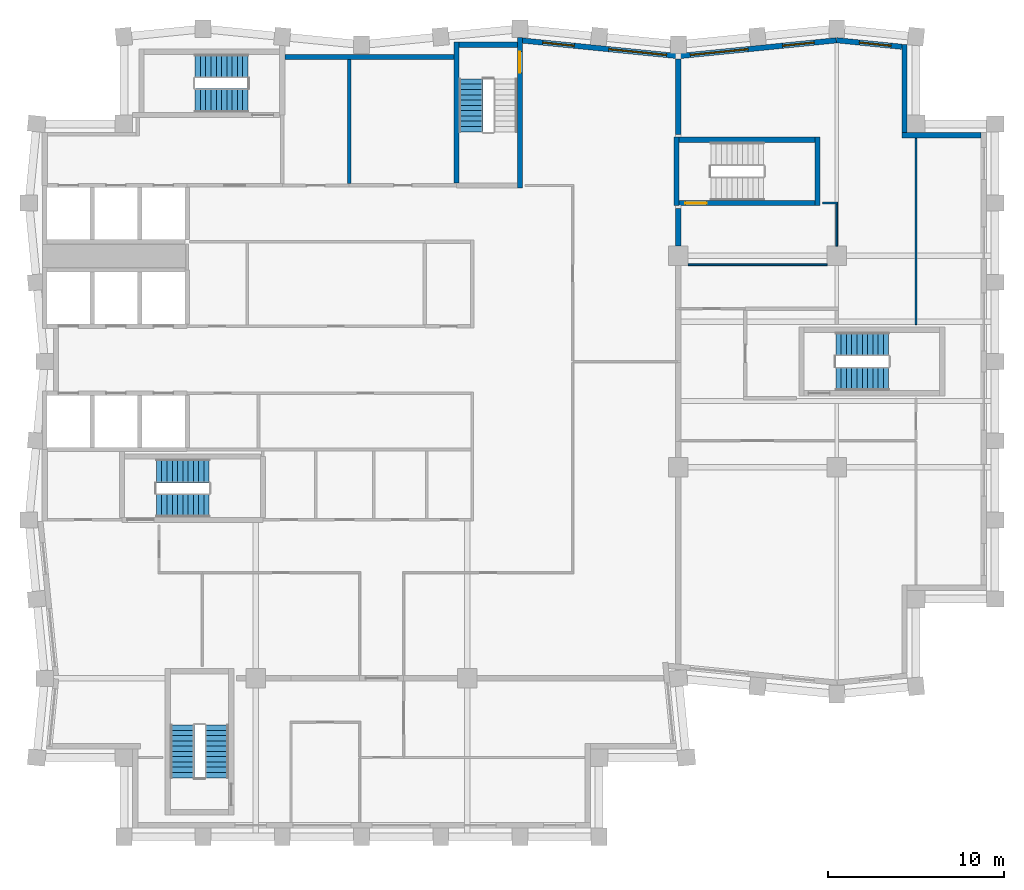
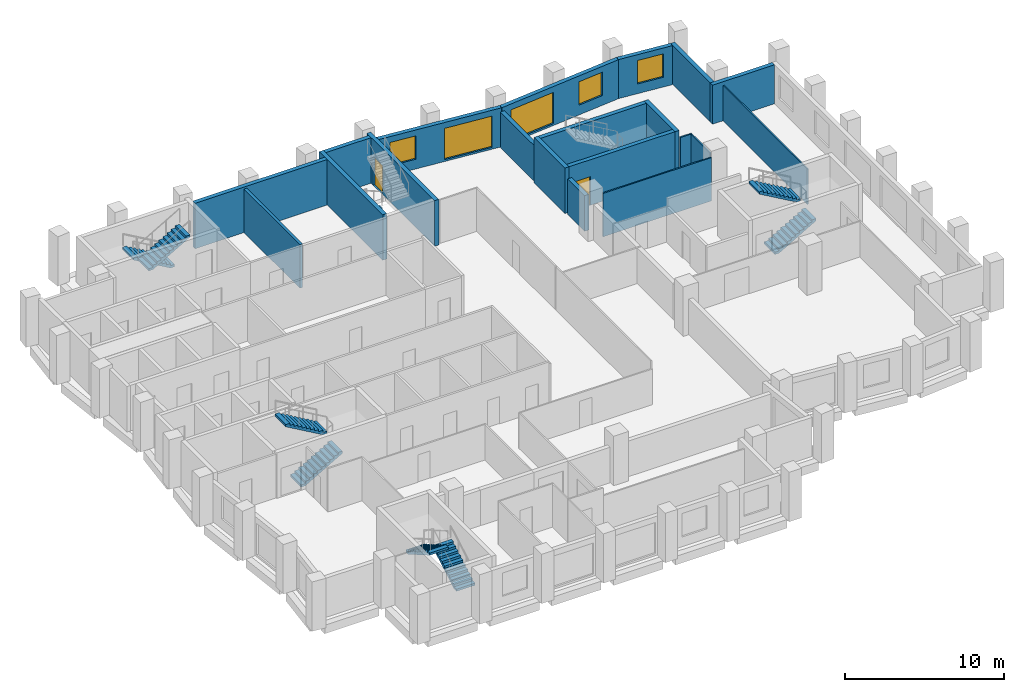
# One storey, part 6 of 8: 20 walls, 9 stair flights, 5 windows, 2 doors, 7 openings, 5 elements without a shape of their own.
"""IFC4 building model written with IfcOpenShell, lengths in metres."""

from ifc_helpers import new_model, si_unit, direction, frame, frame_2d, origin, place, context, subcontext, project, spatial, polyline, rectangle, outline, extrude, material, layer, layer_set, type_object, element, fill, aggregate, save


model = new_model("IFC4")

# Units and contexts
model_context = context("Model", 3, precision=1e-05, world=origin(), true_north=direction((0.0, 1.0)))
body_context = subcontext(model_context, "Body", "Model", "MODEL_VIEW")
ifc_project = project(units=[si_unit("LENGTHUNIT", "METRE"), si_unit("AREAUNIT", "SQUARE_METRE"), si_unit("VOLUMEUNIT", "CUBIC_METRE"), si_unit("PLANEANGLEUNIT", "RADIAN"), si_unit("MASSUNIT", "GRAM", prefix="KILO")], contexts=[model_context])

# Site, building, storey
site_placement = place(None, origin())
site = spatial("IfcSite", under=ifc_project, at=site_placement, CompositionType="ELEMENT")
building_placement = place(site_placement, origin())
building = spatial("IfcBuilding", under=site, at=building_placement, Name="Brondeck Convention Tower", CompositionType="ELEMENT")
storey_placement = place(building_placement, frame((0.0, 0.0, 244.39990234375)))
storey = spatial("IfcBuildingStorey", under=building, at=storey_placement, Name="L60", CompositionType="ELEMENT", Elevation=244.39990234375)

# Walls
ifc_material_1 = material(Name="Concrete compartment wall C30/37", Category="concrete")
ifc_layer_1 = layer(ifc_material_1, 0.300048828125)
ifc_layer_set_1 = layer_set([ifc_layer_1], Name="Compartment wall 300")
wall_type_1 = type_object("IfcWallType", Name="Compartment wall 300", PredefinedType="PARTITIONING", material=ifc_layer_set_1)
wall_1_placement = place(storey_placement, frame((36.0, 51.554931640625, 0.0), z_axis=(0.0, 0.0, 1.0), x_axis=(0.0, 1.0, 0.0)))
element("IfcWall", 1, at=wall_1_placement, inside=storey, type_object=wall_type_1, Name="FLR-L60-W045", PredefinedType="PARTITIONING", context=body_context, shape_type="SweptSolid", body=[
    extrude(rectangle(XDim=2.14501953125, YDim=0.300048828125, at=frame_2d((1.072509765625, 0.0))), origin(), (0.0, 0.0, 1.0), 2.72998046875),
])
wall_2_placement = place(storey_placement, frame((36.0, 57.89990234375, 0.0), z_axis=(0.0, 0.0, 1.0), x_axis=(0.0, 1.0, 0.0)))
element("IfcWall", 2, at=wall_2_placement, inside=storey, type_object=wall_type_1, Name="FLR-L60-W050", PredefinedType="PARTITIONING", context=body_context, shape_type="SweptSolid", body=[
    extrude(rectangle(XDim=4.2763671875, YDim=0.300048828125, at=frame_2d((2.13818359375, 0.0))), origin(), (0.0, 0.0, 1.0), 2.72998046875),
])
ifc_material_2 = material(Name="Concrete C50/60", Category="concrete")
ifc_layer_2 = layer(ifc_material_2, 0.300048828125)
ifc_layer_set_2 = layer_set([ifc_layer_2], Name="Core outer wall 300 Concrete C50/60")
wall_type_2 = type_object("IfcWallType", Name="Core outer wall 300 Concrete C50/60", PredefinedType="SHEAR", material=ifc_layer_set_2)
wall_3_placement = place(storey_placement, frame((13.64990234375, 62.300048828125, 0.0), z_axis=(0.0, 0.0, 1.0), x_axis=(1.0, 0.0, 0.0)))
element("IfcWall", 3, at=wall_3_placement, inside=storey, type_object=wall_type_2, Name="L60 core wall", PredefinedType="SHEAR", context=body_context, shape_type="SweptSolid", body=[
    extrude(rectangle(XDim=9.60009765625, YDim=0.300048828125, at=frame_2d((4.800048828125, 0.0))), origin(), (0.0, 0.0, 1.0), 3.5),
])
ifc_material_3 = material(Name="Precast concrete C50/60 bronze finish", Category="concrete")
ifc_layer_3 = layer(ifc_material_3, 0.070068359375, Name="Bronze precast facing")
ifc_material_4 = material(Name="Mineral wool")
ifc_layer_4 = layer(ifc_material_4, 0.159912109375, Name="Insulation")
ifc_material_5 = material(Name="Concrete C35/45", Category="concrete")
ifc_layer_5 = layer(ifc_material_5, 0.070068359375, Name="Backing")
ifc_layer_set_3 = layer_set([ifc_layer_3, ifc_layer_4, ifc_layer_5], Name="External infill wall, precast concrete C50/60 bronze facing")
wall_type_3 = type_object("IfcWallType", Name="External infill wall, precast concrete C50/60 bronze facing", PredefinedType="SOLIDWALL", material=ifc_layer_set_3)
wall_4_placement = place(storey_placement, frame((48.699951171875, 57.85009765625, 0.0), z_axis=(0.0, 0.0, 1.0), x_axis=(1.0, 0.0, 0.0)))
element("IfcWall", 4, at=wall_4_placement, inside=storey, type_object=wall_type_3, Name="ENV-EW-L60-P2-NC-NEA54-01", PredefinedType="SOLIDWALL", context=body_context, shape_type="SweptSolid", body=[
    extrude(rectangle(XDim=4.501953125, YDim=0.300048828125, at=frame_2d((2.2509765625, 0.0))), origin(), (0.0, 0.0, 1.0), 3.0),
])
wall_5_placement = place(storey_placement, frame((48.85009765625, 62.99755859375, 0.0), z_axis=(0.0, 0.0, 1.0), x_axis=(0.0, -1.0, 0.0)))
element("IfcWall", 5, at=wall_5_placement, inside=storey, type_object=wall_type_3, Name="ENV-EW-L60-P2-NC-NEA54-02", PredefinedType="SOLIDWALL", context=body_context, shape_type="SweptSolid", body=[
    extrude(rectangle(XDim=4.99951171875, YDim=0.300048828125, at=frame_2d((2.499755859375, 0.0))), origin(), (0.0, 0.0, 1.0), 3.0),
])

# Wall, opening, window
wall_6_placement = place(storey_placement, frame((44.985107421875, 63.248291015625, 0.0), z_axis=(0.0, 0.0, 1.0), x_axis=(0.995037837869, -0.099497242219, 0.0)))
wall_6 = element("IfcWall", 6, at=wall_6_placement, inside=storey, type_object=wall_type_3, Name="ENV-EW-L60-P2-A-N-10", PredefinedType="SOLIDWALL", context=body_context, shape_type="SweptSolid", body=[
    extrude(rectangle(XDim=3.732177734375, YDim=0.300048828125, at=frame_2d((1.8662109375, 0.0))), origin(), (0.0, 0.0, 1.0), 3.0),
])
opening_1_placement = place(wall_6_placement, frame((1.311279296875, 0.0, 0.75)))
opening_1 = element("IfcOpeningElement", 7, at=opening_1_placement, cuts=wall_6, Name="Opening W10", PredefinedType="OPENING", context=body_context, shape_type="SweptSolid", body=[
    extrude(rectangle(XDim=1.800048828125, YDim=1.800048828125, at=frame_2d((0.89990234375, 0.89990234375))), frame((0.0, 0.159912109375, 0.0), z_axis=(0.0, -1.0, 0.0), x_axis=(1.0, 0.0, 0.0)), (0.0, 0.0, 1.0), 0.320068359375),
])
ifc_material_6 = material(Name="Bronze tinted double glazing", Category="glass")
window_type_1 = type_object("IfcWindowType", Name="Punched window, bronze tinted", PartitioningType="SINGLE_PANEL", PredefinedType="WINDOW", material=ifc_material_6)
window_1_placement = place(opening_1_placement, origin())
window_1 = element("IfcWindow", 8, at=window_1_placement, inside=storey, type_object=window_type_1, Name="ENV-WN-L60-P2-A-N-10", OverallHeight=1.800048828125, OverallWidth=1.800048828125, PartitioningType="SINGLE_PANEL", PredefinedType="WINDOW", context=body_context, shape_type="SweptSolid", body=[
    extrude(rectangle(XDim=1.800048828125, YDim=1.800048828125, at=frame_2d((0.89990234375, 0.89990234375))), frame((0.0, 0.030029296875, 0.0), z_axis=(0.0, -1.0, 0.0), x_axis=(1.0, 0.0, 0.0)), (0.0, 0.0, 1.0), 0.06005859375),
])
fill(opening_1, window_1)

# Wall, openings, windows
wall_7_placement = place(storey_placement, frame((35.985107421875, 62.34521484375, 0.0), z_axis=(0.0, 0.0, 1.0), x_axis=(0.995035316196, 0.099522457379, 0.0)))
wall_7 = element("IfcWall", 9, at=wall_7_placement, inside=storey, type_object=wall_type_3, Name="ENV-EW-L60-P2-A-N-09", PredefinedType="SOLIDWALL", context=body_context, shape_type="SweptSolid", body=[
    extrude(rectangle(XDim=9.030029296875, YDim=0.300048828125, at=frame_2d((4.51513671875, 0.0))), origin(), (0.0, 0.0, 1.0), 3.0),
])
opening_2_placement = place(wall_7_placement, frame((0.691162109375, 0.0, 0.14990234375)))
opening_2 = element("IfcOpeningElement", 10, at=opening_2_placement, cuts=wall_7, Name="Opening W9", PredefinedType="OPENING", context=body_context, shape_type="SweptSolid", body=[
    extrude(rectangle(XDim=3.300048828125, YDim=2.39990234375, at=frame_2d((1.64990234375, 1.199951171875))), frame((0.0, 0.159912109375, 0.0), z_axis=(0.0, -1.0, 0.0), x_axis=(1.0, 0.0, 0.0)), (0.0, 0.0, 1.0), 0.320068359375),
])
opening_3_placement = place(wall_7_placement, frame((5.963623046875, 0.0, 0.75)))
opening_3 = element("IfcOpeningElement", 11, at=opening_3_placement, cuts=wall_7, Name="Opening W10", PredefinedType="OPENING", context=body_context, shape_type="SweptSolid", body=[
    extrude(rectangle(XDim=1.800048828125, YDim=1.800048828125, at=frame_2d((0.89990234375, 0.89990234375))), frame((0.0, 0.159912109375, 0.0), z_axis=(0.0, -1.0, 0.0), x_axis=(1.0, 0.0, 0.0)), (0.0, 0.0, 1.0), 0.320068359375),
])
window_type_2 = type_object("IfcWindowType", Name="Glazed flute window, bronze tinted", PartitioningType="SINGLE_PANEL", PredefinedType="WINDOW", material=ifc_material_6)
window_2_placement = place(opening_2_placement, origin())
window_2 = element("IfcWindow", 12, at=window_2_placement, inside=storey, type_object=window_type_2, Name="ENV-WN-L60-P2-A-N-08", OverallHeight=2.39990234375, OverallWidth=3.300048828125, PartitioningType="SINGLE_PANEL", PredefinedType="WINDOW", context=body_context, shape_type="SweptSolid", body=[
    extrude(rectangle(XDim=3.300048828125, YDim=2.39990234375, at=frame_2d((1.64990234375, 1.199951171875))), frame((0.0, 0.030029296875, 0.0), z_axis=(0.0, -1.0, 0.0), x_axis=(1.0, 0.0, 0.0)), (0.0, 0.0, 1.0), 0.06005859375),
])
fill(opening_2, window_2)
window_3_placement = place(opening_3_placement, origin())
window_3 = element("IfcWindow", 13, at=window_3_placement, inside=storey, type_object=window_type_1, Name="ENV-WN-L60-P2-A-N-09", OverallHeight=1.800048828125, OverallWidth=1.800048828125, PartitioningType="SINGLE_PANEL", PredefinedType="WINDOW", context=body_context, shape_type="SweptSolid", body=[
    extrude(rectangle(XDim=1.800048828125, YDim=1.800048828125, at=frame_2d((0.89990234375, 0.89990234375))), frame((0.0, 0.030029296875, 0.0), z_axis=(0.0, -1.0, 0.0), x_axis=(1.0, 0.0, 0.0)), (0.0, 0.0, 1.0), 0.06005859375),
])
fill(opening_3, window_3)

wall_8_placement = place(storey_placement, frame((27.084716796875, 63.23828125, 0.0), z_axis=(0.0, 0.0, 1.0), x_axis=(0.995035836657, -0.099517253618, 0.0)))
wall_8 = element("IfcWall", 14, at=wall_8_placement, inside=storey, type_object=wall_type_3, Name="ENV-EW-L60-P2-A-N-07", PredefinedType="SOLIDWALL", context=body_context, shape_type="SweptSolid", body=[
    extrude(rectangle(XDim=8.929931640625, YDim=0.300048828125, at=frame_2d((4.46484375, 0.0))), origin(), (0.0, 0.0, 1.0), 3.0),
])
opening_4_placement = place(wall_8_placement, frame((1.211181640625, 0.0, 0.75)))
opening_4 = element("IfcOpeningElement", 15, at=opening_4_placement, cuts=wall_8, Name="Opening W10", PredefinedType="OPENING", context=body_context, shape_type="SweptSolid", body=[
    extrude(rectangle(XDim=1.800048828125, YDim=1.800048828125, at=frame_2d((0.89990234375, 0.89990234375))), frame((0.0, 0.159912109375, 0.0), z_axis=(0.0, -1.0, 0.0), x_axis=(1.0, 0.0, 0.0)), (0.0, 0.0, 1.0), 0.320068359375),
])
opening_5_placement = place(wall_8_placement, frame((4.983642578125, 0.0, 0.14990234375)))
opening_5 = element("IfcOpeningElement", 16, at=opening_5_placement, cuts=wall_8, Name="Opening W9", PredefinedType="OPENING", context=body_context, shape_type="SweptSolid", body=[
    extrude(rectangle(XDim=3.300048828125, YDim=2.39990234375, at=frame_2d((1.64990234375, 1.199951171875))), frame((0.0, 0.159912109375, 0.0), z_axis=(0.0, -1.0, 0.0), x_axis=(1.0, 0.0, 0.0)), (0.0, 0.0, 1.0), 0.320068359375),
])
window_4_placement = place(opening_5_placement, origin())
window_4 = element("IfcWindow", 17, at=window_4_placement, inside=storey, type_object=window_type_2, Name="ENV-WN-L60-P2-A-N-07", OverallHeight=2.39990234375, OverallWidth=3.300048828125, PartitioningType="SINGLE_PANEL", PredefinedType="WINDOW", context=body_context, shape_type="SweptSolid", body=[
    extrude(rectangle(XDim=3.300048828125, YDim=2.39990234375, at=frame_2d((1.64990234375, 1.199951171875))), frame((0.0, 0.030029296875, 0.0), z_axis=(0.0, -1.0, 0.0), x_axis=(1.0, 0.0, 0.0)), (0.0, 0.0, 1.0), 0.06005859375),
])
fill(opening_5, window_4)
window_5_placement = place(opening_4_placement, origin())
window_5 = element("IfcWindow", 18, at=window_5_placement, inside=storey, type_object=window_type_1, Name="ENV-WN-L60-P2-A-N-06", OverallHeight=1.800048828125, OverallWidth=1.800048828125, PartitioningType="SINGLE_PANEL", PredefinedType="WINDOW", context=body_context, shape_type="SweptSolid", body=[
    extrude(rectangle(XDim=1.800048828125, YDim=1.800048828125, at=frame_2d((0.89990234375, 0.89990234375))), frame((0.0, 0.030029296875, 0.0), z_axis=(0.0, -1.0, 0.0), x_axis=(1.0, 0.0, 0.0)), (0.0, 0.0, 1.0), 0.06005859375),
])
fill(opening_4, window_5)

# Walls
ifc_material_7 = material(Name="Fire-rated gypsum board partition")
ifc_layer_6 = layer(ifc_material_7, 0.199951171875)
ifc_layer_set_4 = layer_set([ifc_layer_6], Name="Riser wall 200 EI 120")
wall_type_4 = type_object("IfcWallType", Name="Riser wall 200 EI 120", PredefinedType="PARTITIONING", material=ifc_layer_set_4)
wall_9_placement = place(storey_placement, frame((17.300048828125, 55.10009765625, 0.0), z_axis=(0.0, 0.0, 1.0), x_axis=(0.0, 1.0, 0.0)))
element("IfcWall", 19, at=wall_9_placement, inside=storey, type_object=wall_type_4, Name="L60 core wall", PredefinedType="PARTITIONING", context=body_context, shape_type="SweptSolid", body=[
    extrude(rectangle(XDim=7.0498046875, YDim=0.199951171875, at=frame_2d((3.52490234375, 0.0))), origin(), (0.0, 0.0, 1.0), 3.35009765625),
])
ifc_material_8 = material(Name="Gypsum board partition on steel studs", Category="steel")
ifc_layer_7 = layer(ifc_material_8, 0.10009765625)
ifc_layer_set_5 = layer_set([ifc_layer_7], Name="Room partition 100")
wall_type_5 = type_object("IfcWallType", Name="Room partition 100", PredefinedType="PARTITIONING", material=ifc_layer_set_5)
wall_10_placement = place(storey_placement, frame((49.5, 47.10009765625, 0.0), z_axis=(0.0, 0.0, 1.0), x_axis=(0.0, 1.0, 0.0)))
element("IfcWall", 20, at=wall_10_placement, inside=storey, type_object=wall_type_5, Name="FLR-L60-W038", PredefinedType="PARTITIONING", context=body_context, shape_type="SweptSolid", body=[
    extrude(rectangle(XDim=10.579833984375, YDim=0.10009765625, at=frame_2d((5.2900390625, 0.0))), origin(), (0.0, 0.0, 1.0), 2.72998046875),
])
wall_11_placement = place(storey_placement, frame((44.445068359375, 50.5, 0.0), z_axis=(0.0, 0.0, 1.0), x_axis=(-1.0, 0.0, 0.0)))
element("IfcWall", 21, at=wall_11_placement, inside=storey, type_object=wall_type_5, Name="FLR-L60-W044", PredefinedType="PARTITIONING", context=body_context, shape_type="SweptSolid", body=[
    extrude(rectangle(XDim=7.89013671875, YDim=0.10009765625, at=frame_2d((3.945068359375, 0.0))), origin(), (0.0, 0.0, 1.0), 3.330078125),
])
wall_12_placement = place(storey_placement, frame((45.0, 53.949951171875, 0.0), z_axis=(0.0, 0.0, 1.0), x_axis=(0.0, -1.0, 0.0)))
element("IfcWall", 22, at=wall_12_placement, inside=storey, type_object=wall_type_5, Name="FLR-L60-W046", PredefinedType="PARTITIONING", context=body_context, shape_type="SweptSolid", body=[
    extrude(rectangle(XDim=2.39501953125, YDim=0.10009765625, at=frame_2d((1.197509765625, 0.0))), origin(), (0.0, 0.0, 1.0), 2.830078125),
])
wall_13_placement = place(storey_placement, frame((44.199951171875, 54.0, 0.0), z_axis=(0.0, 0.0, 1.0), x_axis=(1.0, 0.0, 0.0)))
element("IfcWall", 23, at=wall_13_placement, inside=storey, type_object=wall_type_5, Name="FLR-L60-W047", PredefinedType="PARTITIONING", context=body_context, shape_type="SweptSolid", body=[
    extrude(rectangle(XDim=0.85009765625, YDim=0.10009765625, at=frame_2d((0.425048828125, 0.0))), origin(), (0.0, 0.0, 1.0), 2.830078125),
])

# Wall, opening, door
ifc_layer_8 = layer(ifc_material_2, 0.300048828125)
ifc_layer_set_6 = layer_set([ifc_layer_8], Name="Stair enclosure wall 300 Concrete C50/60")
wall_type_6 = type_object("IfcWallType", Name="Stair enclosure wall 300 Concrete C50/60", PredefinedType="SHEAR", material=ifc_layer_set_6)
wall_14_placement = place(storey_placement, frame((36.050048828125, 54.0, 0.0), z_axis=(0.0, 0.0, 1.0), x_axis=(1.0, 0.0, 0.0)))
wall_14 = element("IfcWall", 24, at=wall_14_placement, inside=storey, type_object=wall_type_6, Name="L60 core wall", PredefinedType="SHEAR", context=body_context, shape_type="SweptSolid", body=[
    extrude(rectangle(XDim=7.699951171875, YDim=0.300048828125, at=frame_2d((3.85009765625, 0.0))), origin(), (0.0, 0.0, 1.0), 3.5),
])
opening_6_placement = place(wall_14_placement, frame((0.35009765625, 0.0, 0.0)))
opening_6 = element("IfcOpeningElement", 25, at=opening_6_placement, cuts=wall_14, Name="Opening C32-17", PredefinedType="OPENING", context=body_context, shape_type="SweptSolid", body=[
    extrude(rectangle(XDim=1.199951171875, YDim=2.199951171875, at=frame_2d((0.60009765625, 1.10009765625))), frame((0.0, 0.159912109375, 0.0), z_axis=(0.0, -1.0, 0.0), x_axis=(1.0, 0.0, 0.0)), (0.0, 0.0, 1.0), 0.320068359375),
])
ifc_material_9 = material(Name="Steel fire door", Category="steel")
door_type = type_object("IfcDoorType", Name="Stair door 1200x2200 EI 90", OperationType="NOTDEFINED", PredefinedType="DOOR", material=ifc_material_9)
door_1_placement = place(opening_6_placement, origin())
door_1 = element("IfcDoor", 26, at=door_1_placement, inside=storey, type_object=door_type, Name="L60 Stair door ST-AE", OperationType="SINGLE_SWING_LEFT", OverallHeight=2.199951171875, OverallWidth=1.199951171875, PredefinedType="DOOR", context=body_context, shape_type="SweptSolid", body=[
    extrude(rectangle(XDim=1.199951171875, YDim=2.199951171875, at=frame_2d((0.60009765625, 1.10009765625))), frame((0.0, 0.02490234375, 0.0), z_axis=(0.0, -1.0, 0.0), x_axis=(1.0, 0.0, 0.0)), (0.0, 0.0, 1.0), 0.050048828125),
])
fill(opening_6, door_1)

# Walls
wall_15_placement = place(storey_placement, frame((36.050048828125, 57.60009765625, 0.0), z_axis=(0.0, 0.0, 1.0), x_axis=(1.0, 0.0, 0.0)))
element("IfcWall", 27, at=wall_15_placement, inside=storey, type_object=wall_type_6, Name="L60 core wall", PredefinedType="SHEAR", context=body_context, shape_type="SweptSolid", body=[
    extrude(rectangle(XDim=7.699951171875, YDim=0.300048828125, at=frame_2d((3.85009765625, 0.0))), origin(), (0.0, 0.0, 1.0), 3.5),
])
wall_16_placement = place(storey_placement, frame((23.550048828125, 63.0, 0.0), z_axis=(0.0, 0.0, 1.0), x_axis=(1.0, 0.0, 0.0)))
element("IfcWall", 28, at=wall_16_placement, inside=storey, type_object=wall_type_6, Name="L60 core wall", PredefinedType="SHEAR", context=body_context, shape_type="SweptSolid", body=[
    extrude(rectangle(XDim=3.300048828125, YDim=0.300048828125, at=frame_2d((1.64990234375, 0.0))), origin(), (0.0, 0.0, 1.0), 3.5),
])
wall_17_placement = place(storey_placement, frame((23.39990234375, 55.14990234375, 0.0), z_axis=(0.0, 0.0, 1.0), x_axis=(0.0, 1.0, 0.0)))
element("IfcWall", 29, at=wall_17_placement, inside=storey, type_object=wall_type_6, Name="L60 core wall", PredefinedType="SHEAR", context=body_context, shape_type="SweptSolid", body=[
    extrude(rectangle(XDim=8.0, YDim=0.300048828125, at=frame_2d((4.0, 0.0))), origin(), (0.0, 0.0, 1.0), 3.5),
])

# Wall, opening, door
wall_18_placement = place(storey_placement, frame((27.0, 54.85009765625, 0.0), z_axis=(0.0, 0.0, 1.0), x_axis=(0.0, 1.0, 0.0)))
wall_18 = element("IfcWall", 30, at=wall_18_placement, inside=storey, type_object=wall_type_6, Name="L60 core wall", PredefinedType="SHEAR", context=body_context, shape_type="SweptSolid", body=[
    extrude(rectangle(XDim=8.5498046875, YDim=0.300048828125, at=frame_2d((4.27490234375, 0.0))), origin(), (0.0, 0.0, 1.0), 3.5),
])
opening_7_placement = place(wall_18_placement, frame((6.550048828125, 0.0, 0.0)))
opening_7 = element("IfcOpeningElement", 31, at=opening_7_placement, cuts=wall_18, Name="Opening C32-15", PredefinedType="OPENING", context=body_context, shape_type="SweptSolid", body=[
    extrude(rectangle(XDim=1.199951171875, YDim=2.199951171875, at=frame_2d((0.60009765625, 1.10009765625))), frame((0.0, 0.159912109375, 0.0), z_axis=(0.0, -1.0, 0.0), x_axis=(1.0, 0.0, 0.0)), (0.0, 0.0, 1.0), 0.320068359375),
])
door_2_placement = place(opening_7_placement, origin())
door_2 = element("IfcDoor", 32, at=door_2_placement, inside=storey, type_object=door_type, Name="L60 Stair door ST-2", OperationType="SINGLE_SWING_LEFT", OverallHeight=2.199951171875, OverallWidth=1.199951171875, PredefinedType="DOOR", context=body_context, shape_type="SweptSolid", body=[
    extrude(rectangle(XDim=1.199951171875, YDim=2.199951171875, at=frame_2d((0.60009765625, 1.10009765625))), frame((0.0, 0.02490234375, 0.0), z_axis=(0.0, -1.0, 0.0), x_axis=(1.0, 0.0, 0.0)), (0.0, 0.0, 1.0), 0.050048828125),
])
fill(opening_7, door_2)

# Walls
for number, where, z_axis, x_axis, name in (
    (33, (35.89990234375, 53.85009765625, 0.0), (0.0, 0.0, 1.0), (0.0, 1.0, 0.0), "L60 core wall"),
    (34, (43.89990234375, 53.85009765625, 0.0), (0.0, 0.0, 1.0), (0.0, 1.0, 0.0), "L60 core wall"),
):
    element("IfcWall", number, at=place(storey_placement, frame(where, z_axis=z_axis, x_axis=x_axis)), inside=storey, type_object=wall_type_6, Name=name, PredefinedType="SHEAR", context=body_context, shape_type="SweptSolid", body=[
        extrude(rectangle(XDim=3.89990234375, YDim=0.300048828125, at=frame_2d((1.949951171875, 0.0))), origin(), (0.0, 0.0, 1.0), 3.5),
    ])

# Stair, stair flights
ifc_material_10 = material(Name="Precast concrete C50/60", Category="concrete")
stair_type = type_object("IfcStairType", Name="Core stair 22 risers 172.73 mm riser 300 mm going 1350 wide", PredefinedType="HALF_TURN_STAIR", material=ifc_material_10)
stair_1_placement = place(storey_placement, origin())
stair_1 = element("IfcStair", 35, at=stair_1_placement, inside=storey, type_object=stair_type, Name="ST-1 L60 stair", PredefinedType="HALF_TURN_STAIR")
stair_flight_type = type_object("IfcStairFlightType", Name="Core stair flight 22 risers 172.73 mm riser 300 mm going 1350 wide", PredefinedType="STRAIGHT", material=ifc_material_10)
stair_flight_1_placement = place(storey_placement, frame((6.35009765625, 36.824951171875, 0.0), z_axis=(0.0, 0.0, 1.0), x_axis=(1.0, 0.0, 0.0)))
stair_flight_1 = element("IfcStairFlight", 36, at=stair_flight_1_placement, type_object=stair_flight_type, Name="ST-1 flight 1", NumberOfRisers=11, NumberOfTreads=10, PredefinedType="STRAIGHT", RiserHeight=0.172727273, TreadLength=0.3, context=body_context, shape_type="SweptSolid", body=[
    extrude(outline(polyline([(0.0, 0.0), (0.0, 0.172607421875), (0.300048828125, 0.172607421875), (0.300048828125, 0.345458984375), (0.60009765625, 0.345458984375), (0.60009765625, 0.51806640625), (0.89990234375, 0.51806640625), (0.89990234375, 0.69091796875), (1.199951171875, 0.69091796875), (1.199951171875, 0.863525390625), (1.5, 0.863525390625), (1.5, 1.036376953125), (1.800048828125, 1.036376953125), (1.800048828125, 1.208984375), (2.10009765625, 1.208984375), (2.10009765625, 1.3818359375), (2.39990234375, 1.3818359375), (2.39990234375, 1.554443359375), (2.699951171875, 1.554443359375), (2.699951171875, 1.727294921875), (3.0, 1.727294921875), (3.0, 1.89990234375), (3.0, 1.55419921875), (0.300537109375, 0.0), (0.0, 0.0)])), frame((0.0, 0.675048828125, 0.0), z_axis=(0.0, -1.0, 0.0), x_axis=(1.0, 0.0, 0.0)), (0.0, 0.0, 1.0), 1.35009765625),
])
stair_flight_2_placement = place(storey_placement, frame((9.35009765625, 38.77490234375, 1.900146484375), z_axis=(0.0, 0.0, 1.0), x_axis=(-1.0, 0.0, 0.0)))
stair_flight_2 = element("IfcStairFlight", 37, at=stair_flight_2_placement, type_object=stair_flight_type, Name="ST-1 flight 2", NumberOfRisers=11, NumberOfTreads=10, PredefinedType="STRAIGHT", RiserHeight=0.172727273, TreadLength=0.3, context=body_context, shape_type="SweptSolid", body=[
    extrude(outline(polyline([(0.0, 0.0), (0.0, 0.172607421875), (0.300048828125, 0.172607421875), (0.300048828125, 0.345458984375), (0.60009765625, 0.345458984375), (0.60009765625, 0.51806640625), (0.89990234375, 0.51806640625), (0.89990234375, 0.69091796875), (1.199951171875, 0.69091796875), (1.199951171875, 0.863525390625), (1.5, 0.863525390625), (1.5, 1.036376953125), (1.800048828125, 1.036376953125), (1.800048828125, 1.208984375), (2.10009765625, 1.208984375), (2.10009765625, 1.3818359375), (2.39990234375, 1.3818359375), (2.39990234375, 1.554443359375), (2.699951171875, 1.554443359375), (2.699951171875, 1.727294921875), (3.0, 1.727294921875), (3.0, 1.89990234375), (3.0, 1.55419921875), (0.300537109375, 0.0), (0.0, 0.0)])), frame((0.0, 0.675048828125, 0.0), z_axis=(0.0, -1.0, 0.0), x_axis=(1.0, 0.0, 0.0)), (0.0, 0.0, 1.0), 1.35009765625),
])
aggregate(stair_1, [stair_flight_1, stair_flight_2])

# Stair, stair flight
stair_2_placement = place(storey_placement, origin())
stair_2 = element("IfcStair", 38, at=stair_2_placement, inside=storey, type_object=stair_type, Name="ST-2 L60 stair", PredefinedType="HALF_TURN_STAIR")
stair_flight_3_placement = place(storey_placement, frame((24.22509765625, 61.050048828125, 0.0), z_axis=(0.0, 0.0, 1.0), x_axis=(0.0, -1.0, 0.0)))
stair_flight_3 = element("IfcStairFlight", 39, at=stair_flight_3_placement, type_object=stair_flight_type, Name="ST-2 flight 1", NumberOfRisers=11, NumberOfTreads=10, PredefinedType="STRAIGHT", RiserHeight=0.172727273, TreadLength=0.3, context=body_context, shape_type="SweptSolid", body=[
    extrude(outline(polyline([(0.0, 0.0), (0.0, 0.172607421875), (0.300048828125, 0.172607421875), (0.300048828125, 0.345458984375), (0.60009765625, 0.345458984375), (0.60009765625, 0.51806640625), (0.89990234375, 0.51806640625), (0.89990234375, 0.69091796875), (1.199951171875, 0.69091796875), (1.199951171875, 0.863525390625), (1.5, 0.863525390625), (1.5, 1.036376953125), (1.800048828125, 1.036376953125), (1.800048828125, 1.208984375), (2.10009765625, 1.208984375), (2.10009765625, 1.3818359375), (2.39990234375, 1.3818359375), (2.39990234375, 1.554443359375), (2.699951171875, 1.554443359375), (2.699951171875, 1.727294921875), (3.0, 1.727294921875), (3.0, 1.89990234375), (3.0, 1.55419921875), (0.300537109375, 0.0), (0.0, 0.0)])), frame((0.0, 0.675048828125, 0.0), z_axis=(0.0, -1.0, 0.0), x_axis=(1.0, 0.0, 0.0)), (0.0, 0.0, 1.0), 1.35009765625),
])
aggregate(stair_2, [stair_flight_3])

# Stair, stair flights
stair_3_placement = place(storey_placement, origin())
stair_3 = element("IfcStair", 40, at=stair_3_placement, inside=storey, type_object=stair_type, Name="ST-3 L60 stair", PredefinedType="HALF_TURN_STAIR")
stair_flight_4_placement = place(storey_placement, frame((11.550048828125, 61.77490234375, 0.0), z_axis=(0.0, 0.0, 1.0), x_axis=(-1.0, 0.0, 0.0)))
stair_flight_4 = element("IfcStairFlight", 41, at=stair_flight_4_placement, type_object=stair_flight_type, Name="ST-3 flight 1", NumberOfRisers=11, NumberOfTreads=10, PredefinedType="STRAIGHT", RiserHeight=0.172727273, TreadLength=0.3, context=body_context, shape_type="SweptSolid", body=[
    extrude(outline(polyline([(0.0, 0.0), (0.0, 0.172607421875), (0.300048828125, 0.172607421875), (0.300048828125, 0.345458984375), (0.60009765625, 0.345458984375), (0.60009765625, 0.51806640625), (0.89990234375, 0.51806640625), (0.89990234375, 0.69091796875), (1.199951171875, 0.69091796875), (1.199951171875, 0.863525390625), (1.5, 0.863525390625), (1.5, 1.036376953125), (1.800048828125, 1.036376953125), (1.800048828125, 1.208984375), (2.10009765625, 1.208984375), (2.10009765625, 1.3818359375), (2.39990234375, 1.3818359375), (2.39990234375, 1.554443359375), (2.699951171875, 1.554443359375), (2.699951171875, 1.727294921875), (3.0, 1.727294921875), (3.0, 1.89990234375), (3.0, 1.55419921875), (0.300537109375, 0.0), (0.0, 0.0)])), frame((0.0, 0.675048828125, 0.0), z_axis=(0.0, -1.0, 0.0), x_axis=(1.0, 0.0, 0.0)), (0.0, 0.0, 1.0), 1.35009765625),
])
stair_flight_5_placement = place(storey_placement, frame((8.550048828125, 59.824951171875, 1.900146484375), z_axis=(0.0, 0.0, 1.0), x_axis=(1.0, 0.0, 0.0)))
stair_flight_5 = element("IfcStairFlight", 42, at=stair_flight_5_placement, type_object=stair_flight_type, Name="ST-3 flight 2", NumberOfRisers=11, NumberOfTreads=10, PredefinedType="STRAIGHT", RiserHeight=0.172727273, TreadLength=0.3, context=body_context, shape_type="SweptSolid", body=[
    extrude(outline(polyline([(0.0, 0.0), (0.0, 0.172607421875), (0.300048828125, 0.172607421875), (0.300048828125, 0.345458984375), (0.60009765625, 0.345458984375), (0.60009765625, 0.51806640625), (0.89990234375, 0.51806640625), (0.89990234375, 0.69091796875), (1.199951171875, 0.69091796875), (1.199951171875, 0.863525390625), (1.5, 0.863525390625), (1.5, 1.036376953125), (1.800048828125, 1.036376953125), (1.800048828125, 1.208984375), (2.10009765625, 1.208984375), (2.10009765625, 1.3818359375), (2.39990234375, 1.3818359375), (2.39990234375, 1.554443359375), (2.699951171875, 1.554443359375), (2.699951171875, 1.727294921875), (3.0, 1.727294921875), (3.0, 1.89990234375), (3.0, 1.55419921875), (0.300537109375, 0.0), (0.0, 0.0)])), frame((0.0, 0.675048828125, 0.0), z_axis=(0.0, -1.0, 0.0), x_axis=(1.0, 0.0, 0.0)), (0.0, 0.0, 1.0), 1.35009765625),
])
aggregate(stair_3, [stair_flight_4, stair_flight_5])

stair_4_placement = place(storey_placement, origin())
stair_4 = element("IfcStair", 43, at=stair_4_placement, inside=storey, type_object=stair_type, Name="ST-BE L60 stair", PredefinedType="HALF_TURN_STAIR")
stair_flight_6_placement = place(storey_placement, frame((9.77490234375, 21.35009765625, 0.0), z_axis=(0.0, 0.0, 1.0), x_axis=(0.0, 1.0, 0.0)))
stair_flight_6 = element("IfcStairFlight", 44, at=stair_flight_6_placement, type_object=stair_flight_type, Name="ST-BE flight 1", NumberOfRisers=11, NumberOfTreads=10, PredefinedType="STRAIGHT", RiserHeight=0.172727273, TreadLength=0.3, context=body_context, shape_type="SweptSolid", body=[
    extrude(outline(polyline([(0.0, 0.0), (0.0, 0.172607421875), (0.300048828125, 0.172607421875), (0.300048828125, 0.345458984375), (0.60009765625, 0.345458984375), (0.60009765625, 0.51806640625), (0.89990234375, 0.51806640625), (0.89990234375, 0.69091796875), (1.199951171875, 0.69091796875), (1.199951171875, 0.863525390625), (1.5, 0.863525390625), (1.5, 1.036376953125), (1.800048828125, 1.036376953125), (1.800048828125, 1.208984375), (2.10009765625, 1.208984375), (2.10009765625, 1.3818359375), (2.39990234375, 1.3818359375), (2.39990234375, 1.554443359375), (2.699951171875, 1.554443359375), (2.699951171875, 1.727294921875), (3.0, 1.727294921875), (3.0, 1.89990234375), (3.0, 1.55419921875), (0.300537109375, 0.0), (0.0, 0.0)])), frame((0.0, 0.675048828125, 0.0), z_axis=(0.0, -1.0, 0.0), x_axis=(1.0, 0.0, 0.0)), (0.0, 0.0, 1.0), 1.35009765625),
])
stair_flight_7_placement = place(storey_placement, frame((7.824951171875, 24.35009765625, 1.900146484375), z_axis=(0.0, 0.0, 1.0), x_axis=(0.0, -1.0, 0.0)))
stair_flight_7 = element("IfcStairFlight", 45, at=stair_flight_7_placement, type_object=stair_flight_type, Name="ST-BE flight 2", NumberOfRisers=11, NumberOfTreads=10, PredefinedType="STRAIGHT", RiserHeight=0.172727273, TreadLength=0.3, context=body_context, shape_type="SweptSolid", body=[
    extrude(outline(polyline([(0.0, 0.0), (0.0, 0.172607421875), (0.300048828125, 0.172607421875), (0.300048828125, 0.345458984375), (0.60009765625, 0.345458984375), (0.60009765625, 0.51806640625), (0.89990234375, 0.51806640625), (0.89990234375, 0.69091796875), (1.199951171875, 0.69091796875), (1.199951171875, 0.863525390625), (1.5, 0.863525390625), (1.5, 1.036376953125), (1.800048828125, 1.036376953125), (1.800048828125, 1.208984375), (2.10009765625, 1.208984375), (2.10009765625, 1.3818359375), (2.39990234375, 1.3818359375), (2.39990234375, 1.554443359375), (2.699951171875, 1.554443359375), (2.699951171875, 1.727294921875), (3.0, 1.727294921875), (3.0, 1.89990234375), (3.0, 1.55419921875), (0.300537109375, 0.0), (0.0, 0.0)])), frame((0.0, 0.675048828125, 0.0), z_axis=(0.0, -1.0, 0.0), x_axis=(1.0, 0.0, 0.0)), (0.0, 0.0, 1.0), 1.35009765625),
])
aggregate(stair_4, [stair_flight_6, stair_flight_7])

stair_5_placement = place(storey_placement, origin())
stair_5 = element("IfcStair", 46, at=stair_5_placement, inside=storey, type_object=stair_type, Name="ST-AF L60 stair", PredefinedType="HALF_TURN_STAIR")
stair_flight_8_placement = place(storey_placement, frame((44.949951171875, 44.02490234375, 0.0), z_axis=(0.0, 0.0, 1.0), x_axis=(1.0, 0.0, 0.0)))
stair_flight_8 = element("IfcStairFlight", 47, at=stair_flight_8_placement, type_object=stair_flight_type, Name="ST-AF flight 1", NumberOfRisers=11, NumberOfTreads=10, PredefinedType="STRAIGHT", RiserHeight=0.172727273, TreadLength=0.3, context=body_context, shape_type="SweptSolid", body=[
    extrude(outline(polyline([(0.0, 0.0), (0.0, 0.172607421875), (0.300048828125, 0.172607421875), (0.300048828125, 0.345458984375), (0.60009765625, 0.345458984375), (0.60009765625, 0.51806640625), (0.89990234375, 0.51806640625), (0.89990234375, 0.69091796875), (1.199951171875, 0.69091796875), (1.199951171875, 0.863525390625), (1.5, 0.863525390625), (1.5, 1.036376953125), (1.800048828125, 1.036376953125), (1.800048828125, 1.208984375), (2.10009765625, 1.208984375), (2.10009765625, 1.3818359375), (2.39990234375, 1.3818359375), (2.39990234375, 1.554443359375), (2.699951171875, 1.554443359375), (2.699951171875, 1.727294921875), (3.0, 1.727294921875), (3.0, 1.89990234375), (3.0, 1.55419921875), (0.300537109375, 0.0), (0.0, 0.0)])), frame((0.0, 0.675048828125, 0.0), z_axis=(0.0, -1.0, 0.0), x_axis=(1.0, 0.0, 0.0)), (0.0, 0.0, 1.0), 1.35009765625),
])
stair_flight_9_placement = place(storey_placement, frame((47.949951171875, 45.97509765625, 1.900146484375), z_axis=(0.0, 0.0, 1.0), x_axis=(-1.0, 0.0, 0.0)))
stair_flight_9 = element("IfcStairFlight", 48, at=stair_flight_9_placement, type_object=stair_flight_type, Name="ST-AF flight 2", NumberOfRisers=11, NumberOfTreads=10, PredefinedType="STRAIGHT", RiserHeight=0.172727273, TreadLength=0.3, context=body_context, shape_type="SweptSolid", body=[
    extrude(outline(polyline([(0.0, 0.0), (0.0, 0.172607421875), (0.300048828125, 0.172607421875), (0.300048828125, 0.345458984375), (0.60009765625, 0.345458984375), (0.60009765625, 0.51806640625), (0.89990234375, 0.51806640625), (0.89990234375, 0.69091796875), (1.199951171875, 0.69091796875), (1.199951171875, 0.863525390625), (1.5, 0.863525390625), (1.5, 1.036376953125), (1.800048828125, 1.036376953125), (1.800048828125, 1.208984375), (2.10009765625, 1.208984375), (2.10009765625, 1.3818359375), (2.39990234375, 1.3818359375), (2.39990234375, 1.554443359375), (2.699951171875, 1.554443359375), (2.699951171875, 1.727294921875), (3.0, 1.727294921875), (3.0, 1.89990234375), (3.0, 1.55419921875), (0.300537109375, 0.0), (0.0, 0.0)])), frame((0.0, 0.675048828125, 0.0), z_axis=(0.0, -1.0, 0.0), x_axis=(1.0, 0.0, 0.0)), (0.0, 0.0, 1.0), 1.35009765625),
])
aggregate(stair_5, [stair_flight_8, stair_flight_9])

save(model, "model.ifc")
